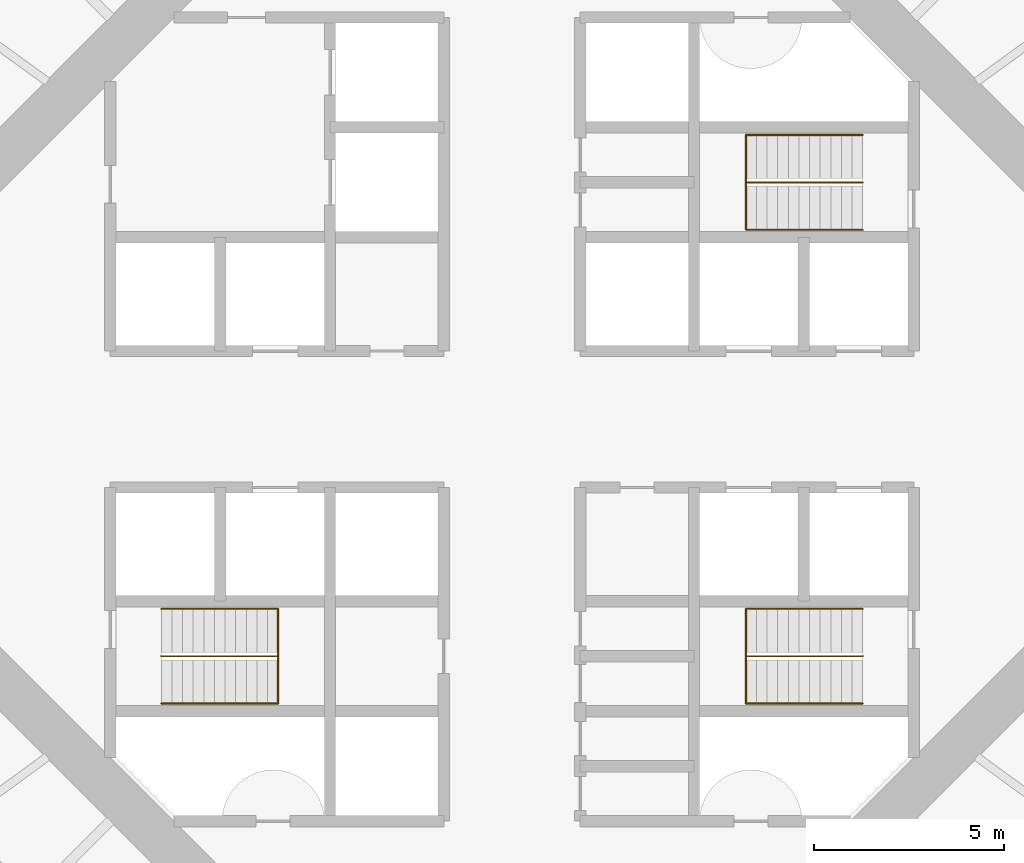
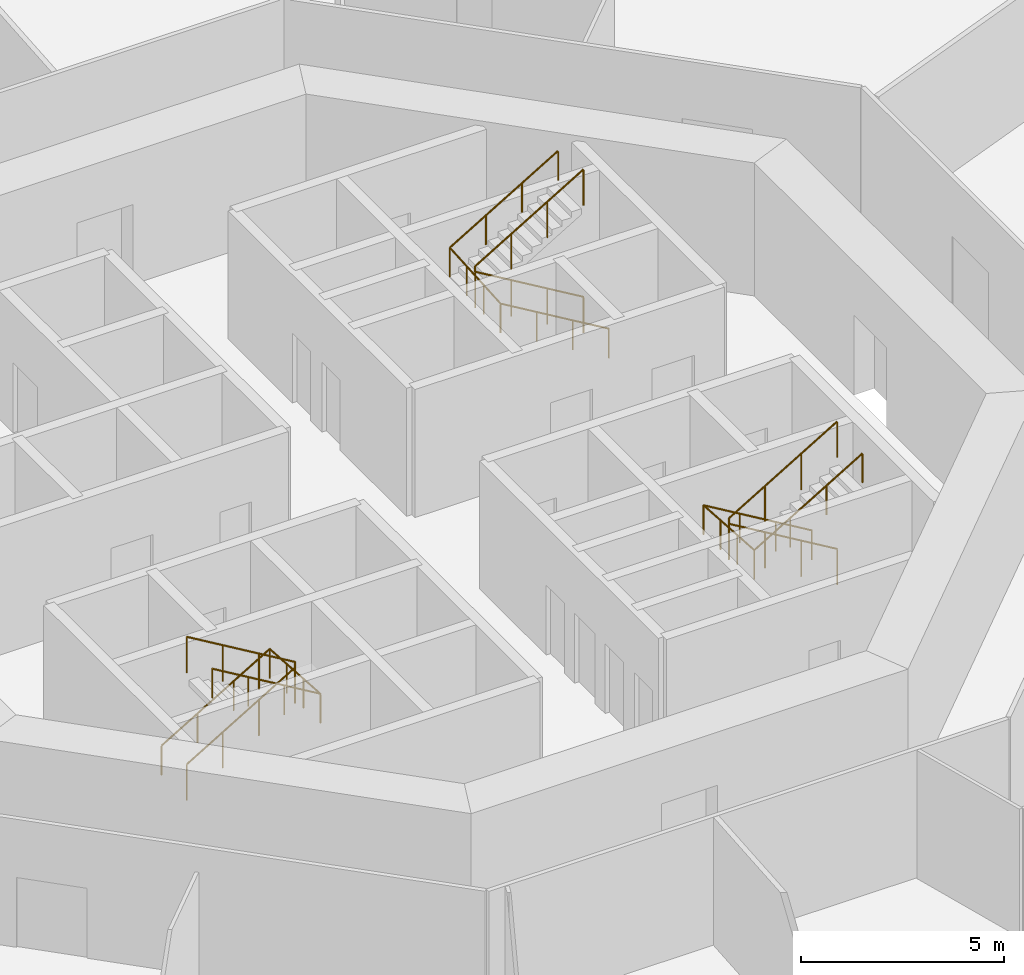
# One storey, part 13 of 13: 6 railings.
"""IFC4 building model written with IfcOpenShell, lengths in metres."""

from ifc_helpers import new_model, si_unit, direction, frame, origin, origin_2d, place, context, subcontext, project, spatial, circle, extrude, material, type_object, element, save


model = new_model("IFC4")

# Units and contexts
model_context = context("Model", 3, precision=1e-05, world=origin(), true_north=direction((0.0, 1.0)))
body_context = subcontext(model_context, "Body", "Model", "MODEL_VIEW")
ifc_project = project(units=[si_unit("LENGTHUNIT", "METRE"), si_unit("AREAUNIT", "SQUARE_METRE"), si_unit("VOLUMEUNIT", "CUBIC_METRE"), si_unit("PLANEANGLEUNIT", "RADIAN"), si_unit("MASSUNIT", "GRAM", prefix="KILO")], contexts=[model_context])

# Site, building, storey
site_placement = place(None, origin())
site = spatial("IfcSite", under=ifc_project, at=site_placement, CompositionType="ELEMENT")
building_placement = place(site_placement, origin())
building = spatial("IfcBuilding", under=site, at=building_placement, Name="Entoto Ring Tower", CompositionType="ELEMENT")
storey_placement = place(building_placement, frame((0.0, 0.0, 84.0)))
storey = spatial("IfcBuildingStorey", under=building, at=storey_placement, Name="L18", CompositionType="ELEMENT", Elevation=84.0)

# Railings
ifc_material_1 = material(Name="Steel S275", Category="steel")
railing_type_1 = type_object("IfcRailingType", Name="Stair guard 1100 mm steel", PredefinedType="GUARDRAIL", material=ifc_material_1)
railing_1_placement = place(storey_placement, frame((99.25, 86.25, 0.166748046875)))
element("IfcRailing", 1, at=railing_1_placement, inside=storey, type_object=railing_type_1, Name="Guard ST1", PredefinedType="GUARDRAIL", context=body_context, shape_type="SweptSolid", body=[
    extrude(circle(Radius=0.02392578125, at=origin_2d()), frame((0.0, 0.0, 1.076171875), z_axis=(-0.859308565015, 0.0, 0.511457515432), x_axis=(0.0, -1.0, 0.0)), (0.0, 0.0, 1.0), 3.58447265625),
    extrude(circle(Radius=0.02392578125, at=origin_2d()), frame((-3.080078125, 0.0, 2.9091796875), z_axis=(0.0, 0.0, 1.0), x_axis=(1.0, 0.0, 0.0)), (0.0, 0.0, 1.0), 0.166748046875),
    extrude(circle(Radius=0.02392578125, at=origin_2d()), frame((-3.080078125, 0.0, 3.076171875), z_axis=(0.859308565015, 0.0, 0.511457515432), x_axis=(0.0, 1.0, 0.0)), (0.0, 0.0, 1.0), 3.58447265625),
    extrude(circle(Radius=0.02099609375, at=origin_2d()), origin(), (0.0, 0.0, 1.0), 1.052001953125),
    extrude(circle(Radius=0.02099609375, at=origin_2d()), frame((-1.026611328125, 0.0, 0.611083984375)), (0.0, 0.0, 1.0), 1.052001953125),
    extrude(circle(Radius=0.02099609375, at=origin_2d()), frame((-2.053466796875, 0.0, 1.22216796875)), (0.0, 0.0, 1.0), 1.052001953125),
    extrude(circle(Radius=0.02099609375, at=origin_2d()), frame((-3.080078125, 0.0, 1.833251953125)), (0.0, 0.0, 1.0), 1.052001953125),
    extrude(circle(Radius=0.02099609375, at=origin_2d()), frame((-3.080078125, 0.0, 2.0)), (0.0, 0.0, 1.0), 1.052001953125),
    extrude(circle(Radius=0.02099609375, at=origin_2d()), frame((-2.053466796875, 0.0, 2.611083984375)), (0.0, 0.0, 1.0), 1.052001953125),
    extrude(circle(Radius=0.02099609375, at=origin_2d()), frame((-1.026611328125, 0.0, 3.22216796875)), (0.0, 0.0, 1.0), 1.052001953125),
    extrude(circle(Radius=0.02099609375, at=origin_2d()), frame((0.0, 0.0, 3.833251953125)), (0.0, 0.0, 1.0), 1.052001953125),
])
railing_2_placement = place(storey_placement, frame((80.75, 73.75, 0.166748046875)))
element("IfcRailing", 2, at=railing_2_placement, inside=storey, type_object=railing_type_1, Name="Guard ST2", PredefinedType="GUARDRAIL", context=body_context, shape_type="SweptSolid", body=[
    extrude(circle(Radius=0.02392578125, at=origin_2d()), frame((0.0, 0.0, 1.076171875), z_axis=(0.859308565015, 0.0, 0.511457515432), x_axis=(0.0, 1.0, 0.0)), (0.0, 0.0, 1.0), 3.58447265625),
    extrude(circle(Radius=0.02392578125, at=origin_2d()), frame((3.080078125, 0.0, 2.9091796875), z_axis=(0.0, 0.0, 1.0), x_axis=(1.0, 0.0, 0.0)), (0.0, 0.0, 1.0), 0.166748046875),
    extrude(circle(Radius=0.02392578125, at=origin_2d()), frame((3.080078125, 0.0, 3.076171875), z_axis=(-0.859308565015, 0.0, 0.511457515432), x_axis=(0.0, -1.0, 0.0)), (0.0, 0.0, 1.0), 3.58447265625),
    extrude(circle(Radius=0.02099609375, at=origin_2d()), origin(), (0.0, 0.0, 1.0), 1.052001953125),
    extrude(circle(Radius=0.02099609375, at=origin_2d()), frame((1.026611328125, 0.0, 0.611083984375)), (0.0, 0.0, 1.0), 1.052001953125),
    extrude(circle(Radius=0.02099609375, at=origin_2d()), frame((2.053466796875, 0.0, 1.22216796875)), (0.0, 0.0, 1.0), 1.052001953125),
    extrude(circle(Radius=0.02099609375, at=origin_2d()), frame((3.080078125, 0.0, 1.833251953125)), (0.0, 0.0, 1.0), 1.052001953125),
    extrude(circle(Radius=0.02099609375, at=origin_2d()), frame((3.080078125, 0.0, 2.0)), (0.0, 0.0, 1.0), 1.052001953125),
    extrude(circle(Radius=0.02099609375, at=origin_2d()), frame((2.053466796875, 0.0, 2.611083984375)), (0.0, 0.0, 1.0), 1.052001953125),
    extrude(circle(Radius=0.02099609375, at=origin_2d()), frame((1.026611328125, 0.0, 3.22216796875)), (0.0, 0.0, 1.0), 1.052001953125),
    extrude(circle(Radius=0.02099609375, at=origin_2d()), frame((0.0, 0.0, 3.833251953125)), (0.0, 0.0, 1.0), 1.052001953125),
])
railing_3_placement = place(storey_placement, frame((99.25, 73.75, 0.166748046875)))
element("IfcRailing", 3, at=railing_3_placement, inside=storey, type_object=railing_type_1, Name="Guard ST3", PredefinedType="GUARDRAIL", context=body_context, shape_type="SweptSolid", body=[
    extrude(circle(Radius=0.02392578125, at=origin_2d()), frame((0.0, 0.0, 1.076171875), z_axis=(-0.859308565015, 0.0, 0.511457515432), x_axis=(0.0, -1.0, 0.0)), (0.0, 0.0, 1.0), 3.58447265625),
    extrude(circle(Radius=0.02392578125, at=origin_2d()), frame((-3.080078125, 0.0, 2.9091796875), z_axis=(0.0, 0.0, 1.0), x_axis=(1.0, 0.0, 0.0)), (0.0, 0.0, 1.0), 0.166748046875),
    extrude(circle(Radius=0.02392578125, at=origin_2d()), frame((-3.080078125, 0.0, 3.076171875), z_axis=(0.859308565015, 0.0, 0.511457515432), x_axis=(0.0, 1.0, 0.0)), (0.0, 0.0, 1.0), 3.58447265625),
    extrude(circle(Radius=0.02099609375, at=origin_2d()), origin(), (0.0, 0.0, 1.0), 1.052001953125),
    extrude(circle(Radius=0.02099609375, at=origin_2d()), frame((-1.026611328125, 0.0, 0.611083984375)), (0.0, 0.0, 1.0), 1.052001953125),
    extrude(circle(Radius=0.02099609375, at=origin_2d()), frame((-2.053466796875, 0.0, 1.22216796875)), (0.0, 0.0, 1.0), 1.052001953125),
    extrude(circle(Radius=0.02099609375, at=origin_2d()), frame((-3.080078125, 0.0, 1.833251953125)), (0.0, 0.0, 1.0), 1.052001953125),
    extrude(circle(Radius=0.02099609375, at=origin_2d()), frame((-3.080078125, 0.0, 2.0)), (0.0, 0.0, 1.0), 1.052001953125),
    extrude(circle(Radius=0.02099609375, at=origin_2d()), frame((-2.053466796875, 0.0, 2.611083984375)), (0.0, 0.0, 1.0), 1.052001953125),
    extrude(circle(Radius=0.02099609375, at=origin_2d()), frame((-1.026611328125, 0.0, 3.22216796875)), (0.0, 0.0, 1.0), 1.052001953125),
    extrude(circle(Radius=0.02099609375, at=origin_2d()), frame((0.0, 0.0, 3.833251953125)), (0.0, 0.0, 1.0), 1.052001953125),
])
ifc_material_2 = material(Name="Steel S275", Category="steel")
railing_type_2 = type_object("IfcRailingType", Name="Stair handrail 900 mm steel", PredefinedType="HANDRAIL", material=ifc_material_2)
railing_4_placement = place(storey_placement, frame((99.25, 85.0, 0.166748046875)))
element("IfcRailing", 4, at=railing_4_placement, inside=storey, type_object=railing_type_2, Name="Handrail ST1", PredefinedType="HANDRAIL", context=body_context, shape_type="SweptSolid", body=[
    extrude(circle(Radius=0.02392578125, at=origin_2d()), frame((0.0, 0.0, 0.8759765625), z_axis=(-0.859308565015, 0.0, 0.511457515432), x_axis=(0.0, -1.0, 0.0)), (0.0, 0.0, 1.0), 3.58447265625),
    extrude(circle(Radius=0.02392578125, at=origin_2d()), frame((-3.080078125, 0.0, 2.708984375), z_axis=(0.0, 0.997783001586, 0.066551346688), x_axis=(-1.0, 0.0, 0.0)), (0.0, 0.0, 1.0), 2.505615234375),
    extrude(circle(Radius=0.02392578125, at=origin_2d()), frame((-3.080078125, 2.5, 2.8759765625), z_axis=(0.859308565015, 0.0, 0.511457515432), x_axis=(0.0, 1.0, 0.0)), (0.0, 0.0, 1.0), 3.58447265625),
    extrude(circle(Radius=0.02099609375, at=origin_2d()), origin(), (0.0, 0.0, 1.0), 0.851806640625),
    extrude(circle(Radius=0.02099609375, at=origin_2d()), frame((-1.026611328125, 0.0, 0.611083984375)), (0.0, 0.0, 1.0), 0.851806640625),
    extrude(circle(Radius=0.02099609375, at=origin_2d()), frame((-2.053466796875, 0.0, 1.22216796875)), (0.0, 0.0, 1.0), 0.851806640625),
    extrude(circle(Radius=0.02099609375, at=origin_2d()), frame((-3.080078125, 0.0, 1.833251953125)), (0.0, 0.0, 1.0), 0.851806640625),
    extrude(circle(Radius=0.02099609375, at=origin_2d()), frame((-3.080078125, 0.833251953125, 1.888916015625)), (0.0, 0.0, 1.0), 0.851806640625),
    extrude(circle(Radius=0.02099609375, at=origin_2d()), frame((-3.080078125, 1.666748046875, 1.9443359375)), (0.0, 0.0, 1.0), 0.851806640625),
    extrude(circle(Radius=0.02099609375, at=origin_2d()), frame((-3.080078125, 2.5, 2.0)), (0.0, 0.0, 1.0), 0.851806640625),
    extrude(circle(Radius=0.02099609375, at=origin_2d()), frame((-2.053466796875, 2.5, 2.611083984375)), (0.0, 0.0, 1.0), 0.851806640625),
    extrude(circle(Radius=0.02099609375, at=origin_2d()), frame((-1.026611328125, 2.5, 3.22216796875)), (0.0, 0.0, 1.0), 0.851806640625),
    extrude(circle(Radius=0.02099609375, at=origin_2d()), frame((0.0, 2.5, 3.833251953125)), (0.0, 0.0, 1.0), 0.851806640625),
])
railing_5_placement = place(storey_placement, frame((80.75, 75.0, 0.166748046875)))
element("IfcRailing", 5, at=railing_5_placement, inside=storey, type_object=railing_type_2, Name="Handrail ST2", PredefinedType="HANDRAIL", context=body_context, shape_type="SweptSolid", body=[
    extrude(circle(Radius=0.02392578125, at=origin_2d()), frame((0.0, 0.0, 0.8759765625), z_axis=(0.859308565015, 0.0, 0.511457515432), x_axis=(0.0, 1.0, 0.0)), (0.0, 0.0, 1.0), 3.58447265625),
    extrude(circle(Radius=0.02392578125, at=origin_2d()), frame((3.080078125, 0.0, 2.708984375), z_axis=(0.0, -0.997783001586, 0.066551346688), x_axis=(1.0, 0.0, 0.0)), (0.0, 0.0, 1.0), 2.505615234375),
    extrude(circle(Radius=0.02392578125, at=origin_2d()), frame((3.080078125, -2.5, 2.8759765625), z_axis=(-0.859308565015, 0.0, 0.511457515432), x_axis=(0.0, -1.0, 0.0)), (0.0, 0.0, 1.0), 3.58447265625),
    extrude(circle(Radius=0.02099609375, at=origin_2d()), origin(), (0.0, 0.0, 1.0), 0.851806640625),
    extrude(circle(Radius=0.02099609375, at=origin_2d()), frame((1.026611328125, 0.0, 0.611083984375)), (0.0, 0.0, 1.0), 0.851806640625),
    extrude(circle(Radius=0.02099609375, at=origin_2d()), frame((2.053466796875, 0.0, 1.22216796875)), (0.0, 0.0, 1.0), 0.851806640625),
    extrude(circle(Radius=0.02099609375, at=origin_2d()), frame((3.080078125, 0.0, 1.833251953125)), (0.0, 0.0, 1.0), 0.851806640625),
    extrude(circle(Radius=0.02099609375, at=origin_2d()), frame((3.080078125, -0.833251953125, 1.888916015625)), (0.0, 0.0, 1.0), 0.851806640625),
    extrude(circle(Radius=0.02099609375, at=origin_2d()), frame((3.080078125, -1.666748046875, 1.9443359375)), (0.0, 0.0, 1.0), 0.851806640625),
    extrude(circle(Radius=0.02099609375, at=origin_2d()), frame((3.080078125, -2.5, 2.0)), (0.0, 0.0, 1.0), 0.851806640625),
    extrude(circle(Radius=0.02099609375, at=origin_2d()), frame((2.053466796875, -2.5, 2.611083984375)), (0.0, 0.0, 1.0), 0.851806640625),
    extrude(circle(Radius=0.02099609375, at=origin_2d()), frame((1.026611328125, -2.5, 3.22216796875)), (0.0, 0.0, 1.0), 0.851806640625),
    extrude(circle(Radius=0.02099609375, at=origin_2d()), frame((0.0, -2.5, 3.833251953125)), (0.0, 0.0, 1.0), 0.851806640625),
])
railing_6_placement = place(storey_placement, frame((99.25, 75.0, 0.166748046875)))
element("IfcRailing", 6, at=railing_6_placement, inside=storey, type_object=railing_type_2, Name="Handrail ST3", PredefinedType="HANDRAIL", context=body_context, shape_type="SweptSolid", body=[
    extrude(circle(Radius=0.02392578125, at=origin_2d()), frame((0.0, 0.0, 0.8759765625), z_axis=(-0.859308565015, 0.0, 0.511457515432), x_axis=(0.0, -1.0, 0.0)), (0.0, 0.0, 1.0), 3.58447265625),
    extrude(circle(Radius=0.02392578125, at=origin_2d()), frame((-3.080078125, 0.0, 2.708984375), z_axis=(0.0, -0.997783001586, 0.066551346688), x_axis=(1.0, 0.0, 0.0)), (0.0, 0.0, 1.0), 2.505615234375),
    extrude(circle(Radius=0.02392578125, at=origin_2d()), frame((-3.080078125, -2.5, 2.8759765625), z_axis=(0.859308565015, 0.0, 0.511457515432), x_axis=(0.0, 1.0, 0.0)), (0.0, 0.0, 1.0), 3.58447265625),
    extrude(circle(Radius=0.02099609375, at=origin_2d()), origin(), (0.0, 0.0, 1.0), 0.851806640625),
    extrude(circle(Radius=0.02099609375, at=origin_2d()), frame((-1.026611328125, 0.0, 0.611083984375)), (0.0, 0.0, 1.0), 0.851806640625),
    extrude(circle(Radius=0.02099609375, at=origin_2d()), frame((-2.053466796875, 0.0, 1.22216796875)), (0.0, 0.0, 1.0), 0.851806640625),
    extrude(circle(Radius=0.02099609375, at=origin_2d()), frame((-3.080078125, 0.0, 1.833251953125)), (0.0, 0.0, 1.0), 0.851806640625),
    extrude(circle(Radius=0.02099609375, at=origin_2d()), frame((-3.080078125, -0.833251953125, 1.888916015625)), (0.0, 0.0, 1.0), 0.851806640625),
    extrude(circle(Radius=0.02099609375, at=origin_2d()), frame((-3.080078125, -1.666748046875, 1.9443359375)), (0.0, 0.0, 1.0), 0.851806640625),
    extrude(circle(Radius=0.02099609375, at=origin_2d()), frame((-3.080078125, -2.5, 2.0)), (0.0, 0.0, 1.0), 0.851806640625),
    extrude(circle(Radius=0.02099609375, at=origin_2d()), frame((-2.053466796875, -2.5, 2.611083984375)), (0.0, 0.0, 1.0), 0.851806640625),
    extrude(circle(Radius=0.02099609375, at=origin_2d()), frame((-1.026611328125, -2.5, 3.22216796875)), (0.0, 0.0, 1.0), 0.851806640625),
    extrude(circle(Radius=0.02099609375, at=origin_2d()), frame((0.0, -2.5, 3.833251953125)), (0.0, 0.0, 1.0), 0.851806640625),
])

save(model, "model.ifc")
